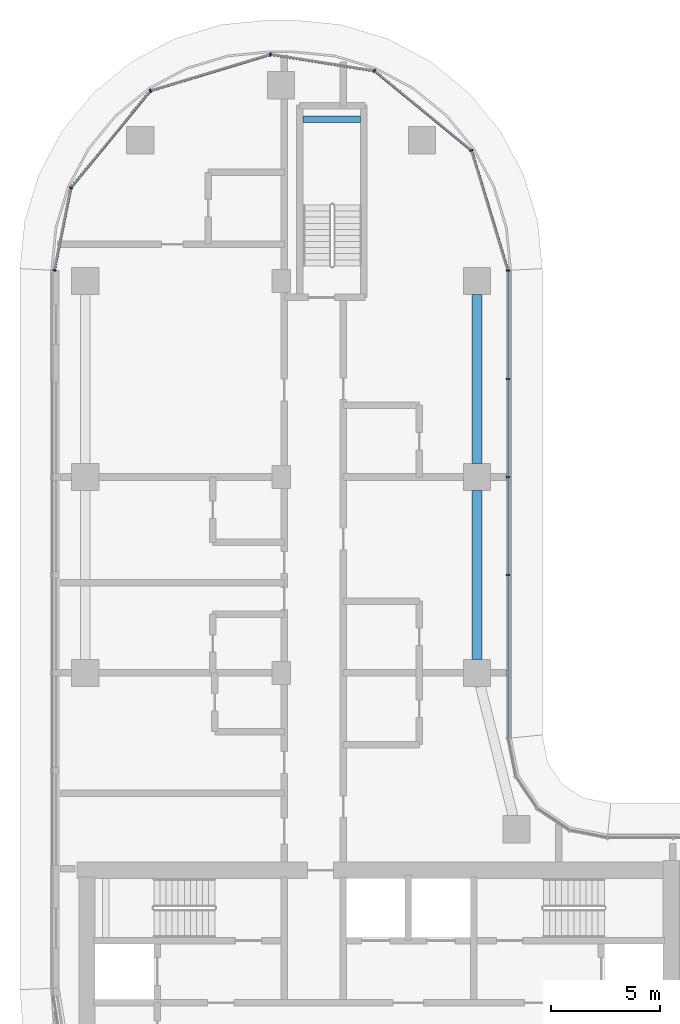
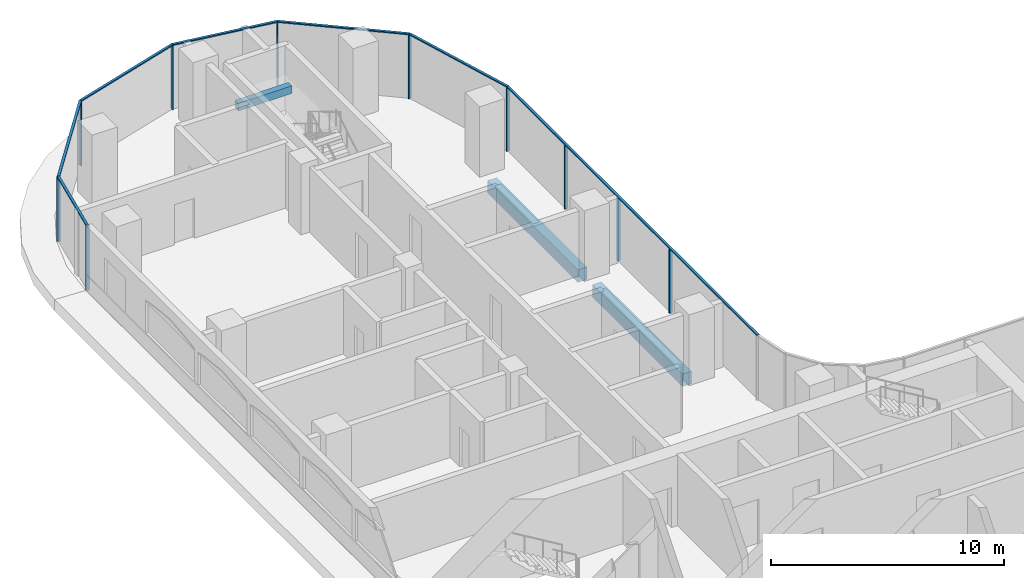
# One storey, part 6 of 25: 17 members, 3 beams, 2 elements without a shape of their own.
"""IFC4 building model written with IfcOpenShell, lengths in metres."""

from ifc_helpers import new_model, si_unit, direction, frame, origin, origin_2d, place, context, subcontext, project, spatial, rectangle, extrude, material, material_profile, profile_set, type_object, element, aggregate, save


model = new_model("IFC4")

# Units and contexts
model_context = context("Model", 3, precision=1e-05, world=origin(), true_north=direction((0.0, 1.0)))
body_context = subcontext(model_context, "Body", "Model", "MODEL_VIEW")
ifc_project = project(units=[si_unit("LENGTHUNIT", "METRE"), si_unit("AREAUNIT", "SQUARE_METRE"), si_unit("VOLUMEUNIT", "CUBIC_METRE"), si_unit("PLANEANGLEUNIT", "RADIAN"), si_unit("MASSUNIT", "GRAM", prefix="KILO")], contexts=[model_context])

# Site, building, storey
site_placement = place(None, origin())
site = spatial("IfcSite", under=ifc_project, at=site_placement, CompositionType="ELEMENT")
building_placement = place(site_placement, origin())
building = spatial("IfcBuilding", under=site, at=building_placement, Name="Ogive Portal Towers", CompositionType="ELEMENT")
storey_placement = place(building_placement, frame((0.0, 0.0, 105.60009765625)))
storey = spatial("IfcBuildingStorey", under=building, at=storey_placement, Name="L25", CompositionType="ELEMENT", Elevation=105.60009765625)

# Beam
ifc_material_1 = material(Name="Concrete C40/50", Category="concrete")
ifc_material_profile_1 = material_profile(ifc_material_1, rectangle(XDim=0.300048828125, YDim=0.39990234375, at=origin_2d()), Name="RC 300x400")
ifc_profile_set_1 = profile_set([ifc_material_profile_1], Name="Concrete C40/50")
beam_type_1 = type_object("IfcBeamType", Name="BEAM RC 300x400", PredefinedType="BEAM", material=ifc_profile_set_1)
beam_placement = place(storey_placement, frame((41.5, 73.949951171875, 1.449951171875), z_axis=(1.0, 0.0, 0.0), x_axis=(0.0, 1.0, 0.0)))
element("IfcBeam", 1, at=beam_placement, inside=storey, type_object=beam_type_1, Name="Landing beam L25", PredefinedType="BEAM", context=body_context, shape_type="SweptSolid", body=[
    extrude(rectangle(XDim=0.300048828125, YDim=0.39990234375, at=origin_2d()), origin(), (0.0, 0.0, 1.0), 2.64990234375),
])

# Curtain wall, members
ifc_material_2 = material(Name="Glass, clear low-iron insulated glazing", Category="glass")
curtain_wall_type = type_object("IfcCurtainWallType", Name="CW FRONT RIBBON 4500", PredefinedType="NOTDEFINED", material=ifc_material_2)
curtain_wall_1_placement = place(storey_placement, origin())
curtain_wall_1 = element("IfcCurtainWall", 2, at=curtain_wall_1_placement, inside=storey, type_object=curtain_wall_type, Name="A:L25:f17:cw0", PredefinedType="NOTDEFINED")
ifc_material_3 = material(Name="Aluminium 6063 anodised", Category="aluminium")
ifc_material_profile_2 = material_profile(ifc_material_3, rectangle(XDim=0.159912109375, YDim=0.06005859375, at=origin_2d()), Name="AL 60x160")
ifc_profile_set_2 = profile_set([ifc_material_profile_2], Name="Aluminium 6063 anodised")
member_type_1 = type_object("IfcMemberType", Name="CW MULLION 60x160", PredefinedType="MULLION", material=ifc_profile_set_2)
member_1_placement = place(storey_placement, frame((50.919921875, 53.0, 0.0), z_axis=(0.0, 0.0, 1.0), x_axis=(-1.0, 0.0, 0.0)))
member_1 = element("IfcMember", 3, at=member_1_placement, type_object=member_type_1, Name="mullion", PredefinedType="MULLION", context=body_context, shape_type="SweptSolid", body=[
    extrude(rectangle(XDim=0.159912109375, YDim=0.06005859375, at=origin_2d()), origin(), (0.0, 0.0, 1.0), 3.33984375),
])
member_2_placement = place(storey_placement, frame((50.919921875, 57.5, 0.0), z_axis=(0.0, 0.0, 1.0), x_axis=(-1.0, 0.0, 0.0)))
member_2 = element("IfcMember", 4, at=member_2_placement, type_object=member_type_1, Name="mullion", PredefinedType="MULLION", context=body_context, shape_type="SweptSolid", body=[
    extrude(rectangle(XDim=0.159912109375, YDim=0.06005859375, at=origin_2d()), origin(), (0.0, 0.0, 1.0), 3.33984375),
])
member_3_placement = place(storey_placement, frame((50.919921875, 62.0, 0.0), z_axis=(0.0, 0.0, 1.0), x_axis=(-1.0, 0.0, 0.0)))
member_3 = element("IfcMember", 5, at=member_3_placement, type_object=member_type_1, Name="mullion", PredefinedType="MULLION", context=body_context, shape_type="SweptSolid", body=[
    extrude(rectangle(XDim=0.159912109375, YDim=0.06005859375, at=origin_2d()), origin(), (0.0, 0.0, 1.0), 3.33984375),
])
member_4_placement = place(storey_placement, frame((50.919921875, 66.988037109375, 0.0), z_axis=(0.0, 0.0, 1.0), x_axis=(-1.0, 0.0, 0.0)))
member_4 = element("IfcMember", 6, at=member_4_placement, type_object=member_type_1, Name="mullion", PredefinedType="MULLION", context=body_context, shape_type="SweptSolid", body=[
    extrude(rectangle(XDim=0.159912109375, YDim=0.06005859375, at=origin_2d()), origin(), (0.0, 0.0, 1.0), 3.33984375),
])

curtain_wall_2_placement = place(storey_placement, origin())
curtain_wall_2 = element("IfcCurtainWall", 7, at=curtain_wall_2_placement, inside=storey, type_object=curtain_wall_type, Name="A:L25:f18:cwa", PredefinedType="NOTDEFINED")
member_5_placement = place(storey_placement, frame((49.2451171875, 72.50927734375, 0.0), z_axis=(0.0, 0.0, 1.0), x_axis=(-0.956940335732, -0.290284677254, 0.0)))
member_5 = element("IfcMember", 8, at=member_5_placement, type_object=member_type_1, Name="mullion", PredefinedType="MULLION", context=body_context, shape_type="SweptSolid", body=[
    extrude(rectangle(XDim=0.159912109375, YDim=0.06005859375, at=origin_2d()), origin(), (0.0, 0.0, 1.0), 3.33984375),
])
member_6_placement = place(storey_placement, frame((44.79296875, 76.1630859375, 0.0), z_axis=(0.0, 0.0, 1.0), x_axis=(-0.634393284164, -0.773010453363, 0.0)))
member_6 = element("IfcMember", 9, at=member_6_placement, type_object=member_type_1, Name="mullion", PredefinedType="MULLION", context=body_context, shape_type="SweptSolid", body=[
    extrude(rectangle(XDim=0.159912109375, YDim=0.06005859375, at=origin_2d()), origin(), (0.0, 0.0, 1.0), 3.33984375),
])
member_7_placement = place(storey_placement, frame((40.005615234375, 76.918212890625, 0.0), z_axis=(0.0, 0.0, 1.0), x_axis=(-0.155777466355, -0.987792174992, 0.0)))
member_7 = element("IfcMember", 10, at=member_7_placement, type_object=member_type_1, Name="mullion", PredefinedType="MULLION", context=body_context, shape_type="SweptSolid", body=[
    extrude(rectangle(XDim=0.159912109375, YDim=0.06005859375, at=origin_2d()), origin(), (0.0, 0.0, 1.0), 3.33984375),
])
member_8_placement = place(storey_placement, frame((34.49072265625, 75.2451171875, 0.0), z_axis=(0.0, 0.0, 1.0), x_axis=(0.290284677254, -0.956940335732, 0.0)))
member_8 = element("IfcMember", 11, at=member_8_placement, type_object=member_type_1, Name="mullion", PredefinedType="MULLION", context=body_context, shape_type="SweptSolid", body=[
    extrude(rectangle(XDim=0.159912109375, YDim=0.06005859375, at=origin_2d()), origin(), (0.0, 0.0, 1.0), 3.33984375),
])
member_9_placement = place(storey_placement, frame((30.835693359375, 70.79150390625, 0.0), z_axis=(0.0, 0.0, 1.0), x_axis=(0.773010453363, -0.634393284164, 0.0)))
member_9 = element("IfcMember", 12, at=member_9_placement, type_object=member_type_1, Name="mullion", PredefinedType="MULLION", context=body_context, shape_type="SweptSolid", body=[
    extrude(rectangle(XDim=0.159912109375, YDim=0.06005859375, at=origin_2d()), origin(), (0.0, 0.0, 1.0), 3.33984375),
])
member_10_placement = place(storey_placement, frame((30.080078125, 66.9921875, 0.0), z_axis=(0.0, 0.0, 1.0), x_axis=(0.980785280403, -0.195090322016, 0.0)))
member_10 = element("IfcMember", 13, at=member_10_placement, type_object=member_type_1, Name="mullion", PredefinedType="MULLION", context=body_context, shape_type="SweptSolid", body=[
    extrude(rectangle(XDim=0.159912109375, YDim=0.06005859375, at=origin_2d()), origin(), (0.0, 0.0, 1.0), 3.33984375),
])

# Member
ifc_material_profile_3 = material_profile(ifc_material_3, rectangle(XDim=0.1201171875, YDim=0.06005859375, at=origin_2d()), Name="AL 120x60")
ifc_profile_set_3 = profile_set([ifc_material_profile_3], Name="Aluminium 6063 anodised")
member_type_2 = type_object("IfcMemberType", Name="CW TRANSOM 60x120", PredefinedType="USERDEFINED", material=ifc_profile_set_3)
member_11_placement = place(storey_placement, frame((50.919921875, 45.4921875, 3.369873046875), z_axis=(0.0, 1.0, 0.0), x_axis=(-1.0, 0.0, 0.0)))
member_11 = element("IfcMember", 14, at=member_11_placement, type_object=member_type_2, Name="transom", ObjectType="TRANSOM", PredefinedType="USERDEFINED", context=body_context, shape_type="SweptSolid", body=[
    extrude(rectangle(XDim=0.1201171875, YDim=0.06005859375, at=origin_2d()), origin(), (0.0, 0.0, 1.0), 21.495849609375),
])

aggregate(curtain_wall_1, [member_11, member_1, member_2, member_3, member_4])

member_12_placement = place(storey_placement, frame((50.919921875, 66.988037109375, 3.369873046875), z_axis=(-0.290277499028, 0.956942513194, 0.0), x_axis=(-0.956942513194, -0.290277499028, 0.0)))
member_12 = element("IfcMember", 15, at=member_12_placement, type_object=member_type_2, Name="transom", ObjectType="TRANSOM", PredefinedType="USERDEFINED", context=body_context, shape_type="SweptSolid", body=[
    extrude(rectangle(XDim=0.1201171875, YDim=0.06005859375, at=origin_2d()), origin(), (0.0, 0.0, 1.0), 5.769775390625),
])

member_13_placement = place(storey_placement, frame((49.2451171875, 72.50927734375, 3.369873046875), z_axis=(-0.773008341981, 0.634395856881, 0.0), x_axis=(-0.634395856881, -0.773008341981, 0.0)))
member_13 = element("IfcMember", 16, at=member_13_placement, type_object=member_type_2, Name="transom", ObjectType="TRANSOM", PredefinedType="USERDEFINED", context=body_context, shape_type="SweptSolid", body=[
    extrude(rectangle(XDim=0.1201171875, YDim=0.06005859375, at=origin_2d()), origin(), (0.0, 0.0, 1.0), 5.759521484375),
])

member_14_placement = place(storey_placement, frame((44.79296875, 76.1630859375, 3.369873046875), z_axis=(-0.987787459497, 0.155807364589, 0.0), x_axis=(-0.155807364589, -0.987787459497, 0.0)))
member_14 = element("IfcMember", 17, at=member_14_placement, type_object=member_type_2, Name="transom", ObjectType="TRANSOM", PredefinedType="USERDEFINED", context=body_context, shape_type="SweptSolid", body=[
    extrude(rectangle(XDim=0.1201171875, YDim=0.06005859375, at=origin_2d()), origin(), (0.0, 0.0, 1.0), 4.846435546875),
])

member_15_placement = place(storey_placement, frame((40.005615234375, 76.918212890625, 3.369873046875), z_axis=(-0.956932077168, -0.290311900697, 0.0), x_axis=(0.290311900697, -0.956932077168, 0.0)))
member_15 = element("IfcMember", 18, at=member_15_placement, type_object=member_type_2, Name="transom", ObjectType="TRANSOM", PredefinedType="USERDEFINED", context=body_context, shape_type="SweptSolid", body=[
    extrude(rectangle(XDim=0.1201171875, YDim=0.06005859375, at=origin_2d()), origin(), (0.0, 0.0, 1.0), 5.76318359375),
])

member_16_placement = place(storey_placement, frame((34.49072265625, 75.2451171875, 3.369873046875), z_axis=(-0.63439777858, -0.773006764869, 0.0), x_axis=(0.773006764869, -0.63439777858, 0.0)))
member_16 = element("IfcMember", 19, at=member_16_placement, type_object=member_type_2, Name="transom", ObjectType="TRANSOM", PredefinedType="USERDEFINED", context=body_context, shape_type="SweptSolid", body=[
    extrude(rectangle(XDim=0.1201171875, YDim=0.06005859375, at=origin_2d()), origin(), (0.0, 0.0, 1.0), 5.761474609375),
])

member_17_placement = place(storey_placement, frame((30.835693359375, 70.79150390625, 3.369873046875), z_axis=(-0.195061569373, -0.980790999221, 0.0), x_axis=(0.980790999221, -0.195061569373, 0.0)))
member_17 = element("IfcMember", 20, at=member_17_placement, type_object=member_type_2, Name="transom", ObjectType="TRANSOM", PredefinedType="USERDEFINED", context=body_context, shape_type="SweptSolid", body=[
    extrude(rectangle(XDim=0.1201171875, YDim=0.06005859375, at=origin_2d()), origin(), (0.0, 0.0, 1.0), 3.873779296875),
])

aggregate(curtain_wall_2, [member_12, member_13, member_14, member_15, member_16, member_17, member_5, member_6, member_7, member_8, member_9, member_10])

# Beams
ifc_material_4 = material(Name="Concrete C50/60", Category="concrete")
ifc_material_profile_4 = material_profile(ifc_material_4, rectangle(XDim=0.449951171875, YDim=0.64990234375, at=origin_2d()), Name="RC 450x650")
ifc_profile_set_4 = profile_set([ifc_material_profile_4], Name="Concrete C50/60")
beam_type_2 = type_object("IfcBeamType", Name="SPANDREL BEAM RC 450x650", PredefinedType="BEAM", material=ifc_profile_set_4)
for number, where, z_axis, x_axis, name in (
    (21, (49.5, 65.875, -0.625), (0.0, -1.0, 0.0), (1.0, 0.0, 0.0), "Spandrel beam L25"),
    (22, (49.5, 56.875, -0.625), (0.0, -1.0, 0.0), (1.0, 0.0, 0.0), "Spandrel beam L25"),
):
    element("IfcBeam", number, at=place(storey_placement, frame(where, z_axis=z_axis, x_axis=x_axis)), inside=storey, type_object=beam_type_2, Name=name, PredefinedType="BEAM", context=body_context, shape_type="SweptSolid", body=[
        extrude(rectangle(XDim=0.449951171875, YDim=0.64990234375, at=origin_2d()), origin(), (0.0, 0.0, 1.0), 7.75),
    ])

save(model, "model.ifc")
